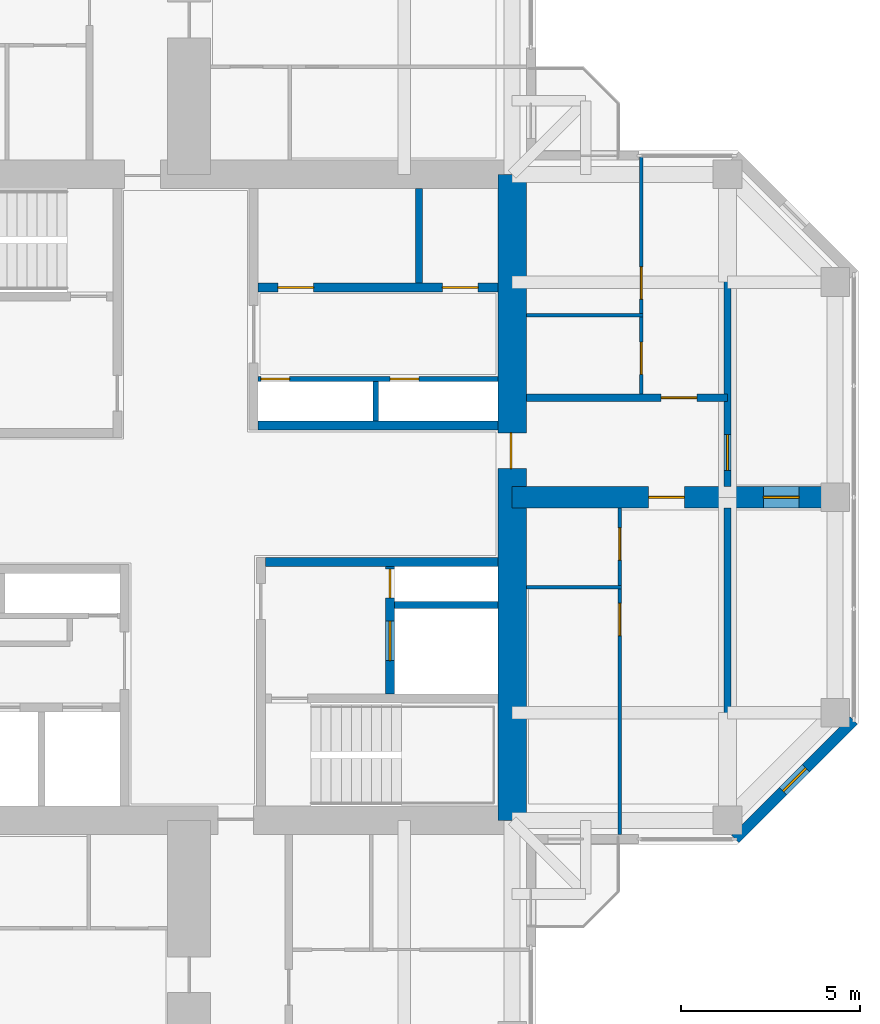
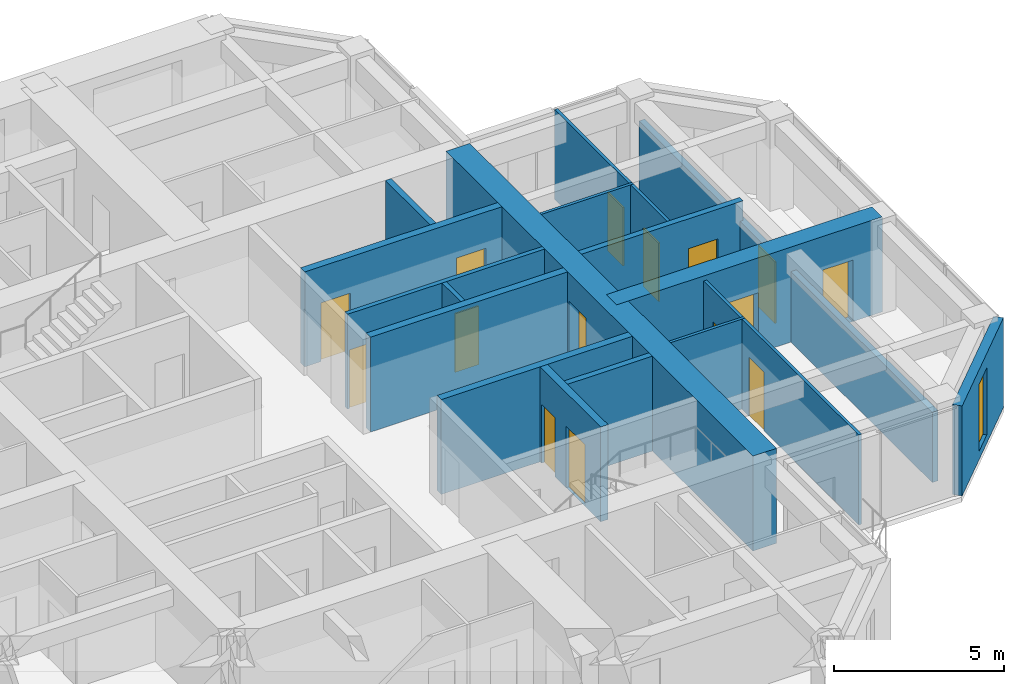
# One storey, part 11 of 13: 18 walls, 15 doors, 1 window, 16 openings.
"""IFC4 building model written with IfcOpenShell, lengths in metres."""

from ifc_helpers import new_model, si_unit, direction, frame, frame_2d, origin, place, context, subcontext, project, spatial, rectangle, hollow_rectangle, extrude, material, layer, layer_set, constituent, constituent_set, type_object, element, fill, save


model = new_model("IFC4")

# Units and contexts
model_context = context("Model", 3, precision=1e-05, world=origin(), true_north=direction((0.0, 1.0)))
body_context = subcontext(model_context, "Body", "Model", "MODEL_VIEW")
ifc_project = project(units=[si_unit("LENGTHUNIT", "METRE"), si_unit("AREAUNIT", "SQUARE_METRE"), si_unit("VOLUMEUNIT", "CUBIC_METRE"), si_unit("PLANEANGLEUNIT", "RADIAN"), si_unit("MASSUNIT", "GRAM", prefix="KILO")], contexts=[model_context])

# Site, building, storey
site_placement = place(None, origin())
site = spatial("IfcSite", under=ifc_project, at=site_placement, CompositionType="ELEMENT")
building_placement = place(site_placement, origin())
building = spatial("IfcBuilding", under=site, at=building_placement, Name="Torre Cruceta", CompositionType="ELEMENT")
storey_placement = place(building_placement, frame((0.0, 0.0, 232.300048828125)))
storey = spatial("IfcBuildingStorey", under=building, at=storey_placement, Name="L59", CompositionType="ELEMENT", Elevation=232.300048828125)

# Wall
ifc_material_1 = material(Name="Water-resistant plasterboard on steel studs", Category="steel")
ifc_layer_1 = layer(ifc_material_1, 0.10009765625)
ifc_layer_set_1 = layer_set([ifc_layer_1], Name="Water-resistant plasterboard on steel studs")
wall_type_1 = type_object("IfcWallType", Name="BATHROOM WALL 100", PredefinedType="PARTITIONING", material=ifc_layer_set_1)
wall_1_placement = place(storey_placement, frame((9.39990234375, 5.074951171875, 0.0), z_axis=(0.0, 0.0, 1.0), x_axis=(1.0, 0.0, 0.0)))
element("IfcWall", 1, at=wall_1_placement, inside=storey, type_object=wall_type_1, Name="PT4 L59-E-U1LBB", PredefinedType="PARTITIONING", context=body_context, shape_type="SweptSolid", body=[
    extrude(rectangle(XDim=3.25, YDim=0.10009765625, at=frame_2d((1.625, 0.0))), origin(), (0.0, 0.0, 1.0), 3.219970703125),
])

# Wall, openings, doors
wall_2_placement = place(storey_placement, frame((12.60009765625, 2.875, 0.0), z_axis=(0.0, 0.0, 1.0), x_axis=(0.0, 1.0, 0.0)))
wall_2 = element("IfcWall", 2, at=wall_2_placement, inside=storey, type_object=wall_type_1, Name="PT4 L59-E-U1LBS", PredefinedType="PARTITIONING", context=body_context, shape_type="SweptSolid", body=[
    extrude(rectangle(XDim=6.60498046875, YDim=0.10009765625, at=frame_2d((3.302490234375, 0.0))), origin(), (0.0, 0.0, 1.0), 3.219970703125),
])
opening_1_placement = place(wall_2_placement, frame((0.550048828125, 0.0, 0.0)))
opening_1 = element("IfcOpeningElement", 3, at=opening_1_placement, cuts=wall_2, Name="Opening D7", PredefinedType="OPENING", context=body_context, shape_type="SweptSolid", body=[
    extrude(rectangle(XDim=0.89990234375, YDim=2.10009765625, at=frame_2d((0.449951171875, 1.050048828125))), frame((0.0, 0.06005859375, 0.0), z_axis=(0.0, -1.0, 0.0), x_axis=(1.0, 0.0, 0.0)), (0.0, 0.0, 1.0), 0.1201171875),
])
opening_2_placement = place(wall_2_placement, frame((2.64990234375, 0.0, 0.0)))
opening_2 = element("IfcOpeningElement", 4, at=opening_2_placement, cuts=wall_2, Name="Opening D7", PredefinedType="OPENING", context=body_context, shape_type="SweptSolid", body=[
    extrude(rectangle(XDim=0.89990234375, YDim=2.10009765625, at=frame_2d((0.449951171875, 1.050048828125))), frame((0.0, 0.06005859375, 0.0), z_axis=(0.0, -1.0, 0.0), x_axis=(1.0, 0.0, 0.0)), (0.0, 0.0, 1.0), 0.1201171875),
])
ifc_material_2 = material(Name="Timber door", Category="wood")
door_type_1 = type_object("IfcDoorType", Name="BATHROOM DOOR 900X2100", OperationType="SINGLE_SWING_LEFT", PredefinedType="DOOR", material=ifc_material_2)
door_1_placement = place(opening_1_placement, origin())
door_1 = element("IfcDoor", 5, at=door_1_placement, inside=storey, type_object=door_type_1, Name="D7 L59-E-U1LBS-D1", OperationType="SINGLE_SWING_LEFT", OverallHeight=2.10009765625, OverallWidth=0.89990234375, PredefinedType="DOOR", context=body_context, shape_type="SweptSolid", body=[
    extrude(rectangle(XDim=0.89990234375, YDim=2.10009765625, at=frame_2d((0.449951171875, 1.050048828125))), frame((0.0, 0.02490234375, 0.0), z_axis=(0.0, -1.0, 0.0), x_axis=(1.0, 0.0, 0.0)), (0.0, 0.0, 1.0), 0.050048828125),
])
fill(opening_1, door_1)
door_2_placement = place(opening_2_placement, origin())
door_2 = element("IfcDoor", 6, at=door_2_placement, inside=storey, type_object=door_type_1, Name="D7 L59-E-U1LBS-D2", OperationType="SINGLE_SWING_LEFT", OverallHeight=2.10009765625, OverallWidth=0.89990234375, PredefinedType="DOOR", context=body_context, shape_type="SweptSolid", body=[
    extrude(rectangle(XDim=0.89990234375, YDim=2.10009765625, at=frame_2d((0.449951171875, 1.050048828125))), frame((0.0, 0.02490234375, 0.0), z_axis=(0.0, -1.0, 0.0), x_axis=(1.0, 0.0, 0.0)), (0.0, 0.0, 1.0), 0.050048828125),
])
fill(opening_2, door_2)

# Wall
wall_3_placement = place(storey_placement, frame((9.39990234375, -2.5, 0.0), z_axis=(0.0, 0.0, 1.0), x_axis=(1.0, 0.0, 0.0)))
element("IfcWall", 7, at=wall_3_placement, inside=storey, type_object=wall_type_1, Name="PT4 L59-E-U1RBB", PredefinedType="PARTITIONING", context=body_context, shape_type="SweptSolid", body=[
    extrude(rectangle(XDim=2.650146484375, YDim=0.10009765625, at=frame_2d((1.3251953125, 0.0))), origin(), (0.0, 0.0, 1.0), 3.219970703125),
])

# Wall, openings, doors
wall_4_placement = place(storey_placement, frame((12.0, -9.39501953125, 0.0), z_axis=(0.0, 0.0, 1.0), x_axis=(0.0, 1.0, 0.0)))
wall_4 = element("IfcWall", 8, at=wall_4_placement, inside=storey, type_object=wall_type_1, Name="PT4 L59-E-U1RBS", PredefinedType="PARTITIONING", context=body_context, shape_type="SweptSolid", body=[
    extrude(rectangle(XDim=9.094970703125, YDim=0.10009765625, at=frame_2d((4.54736328125, 0.0))), origin(), (0.0, 0.0, 1.0), 3.219970703125),
])
opening_3_placement = place(wall_4_placement, frame((5.544921875, 0.0, 0.0)))
opening_3 = element("IfcOpeningElement", 9, at=opening_3_placement, cuts=wall_4, Name="Opening D7", PredefinedType="OPENING", context=body_context, shape_type="SweptSolid", body=[
    extrude(rectangle(XDim=0.89990234375, YDim=2.10009765625, at=frame_2d((0.449951171875, 1.050048828125))), frame((0.0, 0.06005859375, 0.0), z_axis=(0.0, -1.0, 0.0), x_axis=(1.0, 0.0, 0.0)), (0.0, 0.0, 1.0), 0.1201171875),
])
opening_4_placement = place(wall_4_placement, frame((7.64501953125, 0.0, 0.0)))
opening_4 = element("IfcOpeningElement", 10, at=opening_4_placement, cuts=wall_4, Name="Opening D7", PredefinedType="OPENING", context=body_context, shape_type="SweptSolid", body=[
    extrude(rectangle(XDim=0.89990234375, YDim=2.10009765625, at=frame_2d((0.449951171875, 1.050048828125))), frame((0.0, 0.06005859375, 0.0), z_axis=(0.0, -1.0, 0.0), x_axis=(1.0, 0.0, 0.0)), (0.0, 0.0, 1.0), 0.1201171875),
])
door_3_placement = place(opening_3_placement, origin())
door_3 = element("IfcDoor", 11, at=door_3_placement, inside=storey, type_object=door_type_1, Name="D7 L59-E-U1RBS-D1", OperationType="SINGLE_SWING_RIGHT", OverallHeight=2.10009765625, OverallWidth=0.89990234375, PredefinedType="DOOR", context=body_context, shape_type="SweptSolid", body=[
    extrude(rectangle(XDim=0.89990234375, YDim=2.10009765625, at=frame_2d((0.449951171875, 1.050048828125))), frame((0.0, 0.02490234375, 0.0), z_axis=(0.0, -1.0, 0.0), x_axis=(1.0, 0.0, 0.0)), (0.0, 0.0, 1.0), 0.050048828125),
])
fill(opening_3, door_3)
door_4_placement = place(opening_4_placement, origin())
door_4 = element("IfcDoor", 12, at=door_4_placement, inside=storey, type_object=door_type_1, Name="D7 L59-E-U1RBS-D2", OperationType="SINGLE_SWING_RIGHT", OverallHeight=2.10009765625, OverallWidth=0.89990234375, PredefinedType="DOOR", context=body_context, shape_type="SweptSolid", body=[
    extrude(rectangle(XDim=0.89990234375, YDim=2.10009765625, at=frame_2d((0.449951171875, 1.050048828125))), frame((0.0, 0.02490234375, 0.0), z_axis=(0.0, -1.0, 0.0), x_axis=(1.0, 0.0, 0.0)), (0.0, 0.0, 1.0), 0.050048828125),
])
fill(opening_4, door_4)

# Wall
ifc_material_3 = material(Name="Concrete G60 (fck 60 MPa)", Category="concrete")
ifc_layer_2 = layer(ifc_material_3, 0.25)
ifc_layer_set_2 = layer_set([ifc_layer_2], Name="Concrete G60 (fck 60 MPa)")
wall_type_2 = type_object("IfcWallType", Name="CORE INNER WALL 250 G60", PredefinedType="SHEAR", material=ifc_layer_set_2)
wall_5_placement = place(storey_placement, frame((1.925048828125, 2.0, 0.0), z_axis=(0.0, 0.0, 1.0), x_axis=(1.0, 0.0, 0.0)))
element("IfcWall", 13, at=wall_5_placement, inside=storey, type_object=wall_type_2, Name="CW4 L59 NE-CV", PredefinedType="SHEAR", context=body_context, shape_type="SweptSolid", body=[
    extrude(rectangle(XDim=6.675048828125, YDim=0.25, at=frame_2d((3.33740234375, 0.0))), origin(), (0.0, 0.0, 1.0), 3.39990234375),
])

# Wall, openings, doors
wall_6_placement = place(storey_placement, frame((1.925048828125, 5.85009765625, 0.0), z_axis=(0.0, 0.0, 1.0), x_axis=(1.0, 0.0, 0.0)))
wall_6 = element("IfcWall", 14, at=wall_6_placement, inside=storey, type_object=wall_type_2, Name="CW4 L59 NE-LV", PredefinedType="SHEAR", context=body_context, shape_type="SweptSolid", body=[
    extrude(rectangle(XDim=6.675048828125, YDim=0.25, at=frame_2d((3.33740234375, 0.0))), origin(), (0.0, 0.0, 1.0), 3.39990234375),
])
opening_5_placement = place(wall_6_placement, frame((0.5458984375, 0.0, 0.0)))
opening_5 = element("IfcOpeningElement", 15, at=opening_5_placement, cuts=wall_6, Name="Opening D3", PredefinedType="OPENING", context=body_context, shape_type="SweptSolid", body=[
    extrude(rectangle(XDim=1.0, YDim=2.10009765625, at=frame_2d((0.5, 1.050048828125))), frame((0.0, 0.135009765625, 0.0), z_axis=(0.0, -1.0, 0.0), x_axis=(1.0, 0.0, 0.0)), (0.0, 0.0, 1.0), 0.27001953125),
])
opening_6_placement = place(wall_6_placement, frame((5.129150390625, 0.0, 0.0)))
opening_6 = element("IfcOpeningElement", 16, at=opening_6_placement, cuts=wall_6, Name="Opening D3", PredefinedType="OPENING", context=body_context, shape_type="SweptSolid", body=[
    extrude(rectangle(XDim=1.0, YDim=2.10009765625, at=frame_2d((0.5, 1.050048828125))), frame((0.0, 0.135009765625, 0.0), z_axis=(0.0, -1.0, 0.0), x_axis=(1.0, 0.0, 0.0)), (0.0, 0.0, 1.0), 0.27001953125),
])
ifc_material_4 = material(Name="Steel DX51D", Category="steel")
ifc_constituent_1 = constituent(ifc_material_4, Name="Leaf and frame")
ifc_material_5 = material(Name="Polyester powder coating", Category="paint")
ifc_constituent_2 = constituent(ifc_material_5, Name="Finish")
ifc_constituent_set_1 = constituent_set(constituents=[ifc_constituent_1, ifc_constituent_2], Name="Steel fire door")
door_type_2 = type_object("IfcDoorType", Name="FIRE DOOR 1000X2100", OperationType="SINGLE_SWING_LEFT", PredefinedType="DOOR", material=ifc_constituent_set_1)
door_5_placement = place(opening_5_placement, origin())
door_5 = element("IfcDoor", 17, at=door_5_placement, inside=storey, type_object=door_type_2, Name="D3 L59 NE-HR1", OperationType="SINGLE_SWING_LEFT", OverallHeight=2.10009765625, OverallWidth=1.0, PredefinedType="DOOR", context=body_context, shape_type="SweptSolid", body=[
    extrude(rectangle(XDim=1.0, YDim=2.10009765625, at=frame_2d((0.5, 1.050048828125))), frame((0.0, 0.02490234375, 0.0), z_axis=(0.0, -1.0, 0.0), x_axis=(1.0, 0.0, 0.0)), (0.0, 0.0, 1.0), 0.050048828125),
])
fill(opening_5, door_5)
door_6_placement = place(opening_6_placement, origin())
door_6 = element("IfcDoor", 18, at=door_6_placement, inside=storey, type_object=door_type_2, Name="D3 L59 NE-HR2", OperationType="SINGLE_SWING_RIGHT", OverallHeight=2.10009765625, OverallWidth=1.0, PredefinedType="DOOR", context=body_context, shape_type="SweptSolid", body=[
    extrude(rectangle(XDim=1.0, YDim=2.10009765625, at=frame_2d((0.5, 1.050048828125))), frame((0.0, 0.02490234375, 0.0), z_axis=(0.0, -1.0, 0.0), x_axis=(1.0, 0.0, 0.0)), (0.0, 0.0, 1.0), 0.050048828125),
])
fill(opening_6, door_6)

# Wall
wall_7_placement = place(storey_placement, frame((2.125, -1.800048828125, 0.0), z_axis=(0.0, 0.0, 1.0), x_axis=(1.0, 0.0, 0.0)))
element("IfcWall", 19, at=wall_7_placement, inside=storey, type_object=wall_type_2, Name="CW4 L59 SE-CV", PredefinedType="SHEAR", context=body_context, shape_type="SweptSolid", body=[
    extrude(rectangle(XDim=6.47509765625, YDim=0.25, at=frame_2d((3.237548828125, 0.0))), origin(), (0.0, 0.0, 1.0), 3.39990234375),
])

# Wall, openings, doors
wall_8_placement = place(storey_placement, frame((5.60009765625, -1.925048828125, 0.0), z_axis=(0.0, 0.0, 1.0), x_axis=(0.0, -1.0, 0.0)))
wall_8 = element("IfcWall", 20, at=wall_8_placement, inside=storey, type_object=wall_type_2, Name="CW4 L59 SE-FU", PredefinedType="SHEAR", context=body_context, shape_type="SweptSolid", body=[
    extrude(rectangle(XDim=3.550048828125, YDim=0.25, at=frame_2d((1.77490234375, 0.0))), origin(), (0.0, 0.0, 1.0), 3.39990234375),
])
opening_7_placement = place(wall_8_placement, frame((1.52490234375, 0.0, 0.0)))
opening_7 = element("IfcOpeningElement", 21, at=opening_7_placement, cuts=wall_8, Name="Opening LD1", PredefinedType="OPENING", context=body_context, shape_type="SweptSolid", body=[
    extrude(rectangle(XDim=1.10009765625, YDim=2.199951171875, at=frame_2d((0.550048828125, 1.10009765625))), frame((0.0, 0.135009765625, 0.0), z_axis=(0.0, -1.0, 0.0), x_axis=(1.0, 0.0, 0.0)), (0.0, 0.0, 1.0), 0.27001953125),
])
opening_8_placement = place(wall_8_placement, frame((0.074951171875, 0.0, 0.0)))
opening_8 = element("IfcOpeningElement", 22, at=opening_8_placement, cuts=wall_8, Name="Opening D5", PredefinedType="OPENING", context=body_context, shape_type="SweptSolid", body=[
    extrude(rectangle(XDim=0.800048828125, YDim=2.10009765625, at=frame_2d((0.39990234375, 1.050048828125))), frame((0.0, 0.135009765625, 0.0), z_axis=(0.0, -1.0, 0.0), x_axis=(1.0, 0.0, 0.0)), (0.0, 0.0, 1.0), 0.27001953125),
])
ifc_material_6 = material(Name="Stainless steel 1.4401", Category="steel")
door_type_3 = type_object("IfcDoorType", Name="LIFT LANDING DOOR 1100X2200", OperationType="DOUBLE_DOOR_SLIDING", PredefinedType="DOOR", material=ifc_material_6)
door_7_placement = place(opening_7_placement, origin())
door_7 = element("IfcDoor", 23, at=door_7_placement, inside=storey, type_object=door_type_3, Name="Lift landing door FL2", OperationType="DOUBLE_DOOR_SLIDING", OverallHeight=2.199951171875, OverallWidth=1.10009765625, PredefinedType="DOOR", context=body_context, shape_type="SweptSolid", body=[
    extrude(rectangle(XDim=1.10009765625, YDim=2.199951171875, at=frame_2d((0.550048828125, 1.10009765625))), frame((0.0, 0.02490234375, 0.0), z_axis=(0.0, -1.0, 0.0), x_axis=(1.0, 0.0, 0.0)), (0.0, 0.0, 1.0), 0.050048828125),
])
fill(opening_7, door_7)
ifc_material_7 = material(Name="Steel DX51D", Category="steel")
ifc_constituent_3 = constituent(ifc_material_7, Name="Leaf and frame")
ifc_material_8 = material(Name="Polyester powder coating", Category="paint")
ifc_constituent_4 = constituent(ifc_material_8, Name="Finish")
ifc_constituent_set_2 = constituent_set(constituents=[ifc_constituent_3, ifc_constituent_4], Name="Steel fire door")
door_type_4 = type_object("IfcDoorType", Name="RISER ACCESS DOOR 800X2100", OperationType="SINGLE_SWING_LEFT", PredefinedType="DOOR", material=ifc_constituent_set_2)
door_8_placement = place(opening_8_placement, origin())
door_8 = element("IfcDoor", 24, at=door_8_placement, inside=storey, type_object=door_type_4, Name="D5 L59 SE-RISER", OperationType="SINGLE_SWING_LEFT", OverallHeight=2.10009765625, OverallWidth=0.800048828125, PredefinedType="DOOR", context=body_context, shape_type="SweptSolid", body=[
    extrude(rectangle(XDim=0.800048828125, YDim=2.10009765625, at=frame_2d((0.39990234375, 1.050048828125))), frame((0.0, 0.02490234375, 0.0), z_axis=(0.0, -1.0, 0.0), x_axis=(1.0, 0.0, 0.0)), (0.0, 0.0, 1.0), 0.050048828125),
])
fill(opening_8, door_8)

# Wall, opening, door
ifc_material_9 = material(Name="Concrete G60 (fck 60 MPa)", Category="concrete")
ifc_layer_3 = layer(ifc_material_9, 0.800048828125)
ifc_layer_set_3 = layer_set([ifc_layer_3], Name="Concrete G60 (fck 60 MPa)")
wall_type_3 = type_object("IfcWallType", Name="CORE WALL 800 G60", PredefinedType="SHEAR", material=ifc_layer_set_3)
wall_9_placement = place(storey_placement, frame((9.0, -9.0, 0.0), z_axis=(0.0, 0.0, 1.0), x_axis=(0.0, 1.0, 0.0)))
wall_9 = element("IfcWall", 25, at=wall_9_placement, inside=storey, type_object=wall_type_3, Name="CW3 L59 CW-E", PredefinedType="SHEAR", context=body_context, shape_type="SweptSolid", body=[
    extrude(rectangle(XDim=18.0, YDim=0.800048828125, at=frame_2d((9.0, 0.0))), origin(), (0.0, 0.0, 1.0), 3.39990234375),
])
opening_9_placement = place(wall_9_placement, frame((9.800048828125, 0.0, 0.0)))
opening_9 = element("IfcOpeningElement", 26, at=opening_9_placement, cuts=wall_9, Name="Opening D4", PredefinedType="OPENING", context=body_context, shape_type="SweptSolid", body=[
    extrude(rectangle(XDim=1.0, YDim=2.39990234375, at=frame_2d((0.5, 1.199951171875))), frame((0.0, 0.409912109375, 0.0), z_axis=(0.0, -1.0, 0.0), x_axis=(1.0, 0.0, 0.0)), (0.0, 0.0, 1.0), 0.820068359375),
])
ifc_material_10 = material(Name="Steel DX51D", Category="steel")
ifc_constituent_5 = constituent(ifc_material_10, Name="Leaf and frame")
ifc_material_11 = material(Name="Polyester powder coating", Category="paint")
ifc_constituent_6 = constituent(ifc_material_11, Name="Finish")
ifc_constituent_set_3 = constituent_set(constituents=[ifc_constituent_5, ifc_constituent_6], Name="Steel fire door")
door_type_5 = type_object("IfcDoorType", Name="CORE ARM DOOR 1000X2400", OperationType="SINGLE_SWING_RIGHT", PredefinedType="DOOR", material=ifc_constituent_set_3)
door_9_placement = place(opening_9_placement, origin())
door_9 = element("IfcDoor", 27, at=door_9_placement, inside=storey, type_object=door_type_5, Name="D4 L59 CW-E", OperationType="SINGLE_SWING_RIGHT", OverallHeight=2.39990234375, OverallWidth=1.0, PredefinedType="DOOR", context=body_context, shape_type="SweptSolid", body=[
    extrude(rectangle(XDim=1.0, YDim=2.39990234375, at=frame_2d((0.5, 1.199951171875))), frame((0.0, 0.05517578125, 0.0), z_axis=(0.0, -1.0, 0.0), x_axis=(1.0, 0.0, 0.0)), (0.0, 0.0, 1.0), 0.050048828125),
])
fill(opening_9, door_9)

ifc_material_12 = material(Name="Concrete G25 (fck 25 MPa)", Category="concrete")
ifc_layer_4 = layer(ifc_material_12, 0.199951171875)
ifc_layer_set_4 = layer_set([ifc_layer_4], Name="Concrete G25 (fck 25 MPa)")
wall_type_4 = type_object("IfcWallType", Name="CORRIDOR WALL 200", PredefinedType="SOLIDWALL", material=ifc_layer_set_4)
wall_10_placement = place(storey_placement, frame((9.39990234375, 2.77490234375, 0.0), z_axis=(0.0, 0.0, 1.0), x_axis=(1.0, 0.0, 0.0)))
wall_10 = element("IfcWall", 28, at=wall_10_placement, inside=storey, type_object=wall_type_4, Name="PT3 L59-E-CL", PredefinedType="SOLIDWALL", context=body_context, shape_type="SweptSolid", body=[
    extrude(rectangle(XDim=5.60009765625, YDim=0.199951171875, at=frame_2d((2.800048828125, 0.0))), origin(), (0.0, 0.0, 1.0), 3.219970703125),
])
opening_10_placement = place(wall_10_placement, frame((3.75, 0.0, 0.0)))
opening_10 = element("IfcOpeningElement", 29, at=opening_10_placement, cuts=wall_10, Name="Opening D6", PredefinedType="OPENING", context=body_context, shape_type="SweptSolid", body=[
    extrude(rectangle(XDim=1.0, YDim=2.14990234375, at=frame_2d((0.5, 1.074951171875))), frame((0.0, 0.10986328125, 0.0), z_axis=(0.0, -1.0, 0.0), x_axis=(1.0, 0.0, 0.0)), (0.0, 0.0, 1.0), 0.219970703125),
])
ifc_material_13 = material(Name="Timber fire door", Category="wood")
door_type_6 = type_object("IfcDoorType", Name="UNIT ENTRANCE DOOR 1000X2150", OperationType="SINGLE_SWING_LEFT", PredefinedType="DOOR", material=ifc_material_13)
door_10_placement = place(opening_10_placement, origin())
door_10 = element("IfcDoor", 30, at=door_10_placement, inside=storey, type_object=door_type_6, Name="D6 L59-E-CL-D1", OperationType="SINGLE_SWING_LEFT", OverallHeight=2.14990234375, OverallWidth=1.0, PredefinedType="DOOR", context=body_context, shape_type="SweptSolid", body=[
    extrude(rectangle(XDim=1.0, YDim=2.14990234375, at=frame_2d((0.5, 1.074951171875))), frame((0.0, 0.02490234375, 0.0), z_axis=(0.0, -1.0, 0.0), x_axis=(1.0, 0.0, 0.0)), (0.0, 0.0, 1.0), 0.050048828125),
])
fill(opening_10, door_10)

# Wall, opening, window
ifc_material_14 = material(Name="Concrete G30 (fck 30 MPa)", Category="concrete")
ifc_layer_5 = layer(ifc_material_14, 0.300048828125)
ifc_layer_set_5 = layer_set([ifc_layer_5], Name="Concrete G30 (fck 30 MPa)")
wall_type_5 = type_object("IfcWallType", Name="EXPOSED CONCRETE FACADE WALL 300", PredefinedType="SOLIDWALL", material=ifc_layer_set_5)
wall_11_placement = place(storey_placement, frame((15.21533203125, -9.52001953125, 0.0), z_axis=(0.0, 0.0, 1.0), x_axis=(0.707106781187, 0.707106781187, 0.0)))
wall_11 = element("IfcWall", 31, at=wall_11_placement, inside=storey, type_object=wall_type_5, Name="EW1 facade wall L59 E chamfer 01", PredefinedType="SOLIDWALL", context=body_context, shape_type="SweptSolid", body=[
    extrude(rectangle(XDim=4.673583984375, YDim=0.300048828125, at=frame_2d((2.3369140625, 0.0))), origin(), (0.0, 0.0, 1.0), 3.219970703125),
])
opening_11_placement = place(wall_11_placement, frame((1.88671875, 0.0, 0.300048828125)))
opening_11 = element("IfcOpeningElement", 32, at=opening_11_placement, cuts=wall_11, Name="Opening WN5", PredefinedType="OPENING", context=body_context, shape_type="SweptSolid", body=[
    extrude(rectangle(XDim=0.89990234375, YDim=2.39990234375, at=frame_2d((0.449951171875, 1.199951171875))), frame((0.0, 0.159912109375, 0.0), z_axis=(0.0, -1.0, 0.0), x_axis=(1.0, 0.0, 0.0)), (0.0, 0.0, 1.0), 0.320068359375),
])
ifc_material_15 = material(Name="Aluminium window frame", Category="aluminium")
ifc_constituent_7 = constituent(ifc_material_15, Name="Frame")
ifc_material_16 = material(Name="Laminated insulating glass unit, low-iron clear", Category="glass")
ifc_constituent_8 = constituent(ifc_material_16, Name="Glazing")
ifc_constituent_set_4 = constituent_set(constituents=[ifc_constituent_7, ifc_constituent_8], Name="Aluminium window")
window_type = type_object("IfcWindowType", Name="CHAMFER SLOT WINDOW 900X2400", PartitioningType="SINGLE_PANEL", PredefinedType="WINDOW", material=ifc_constituent_set_4)
window_placement = place(opening_11_placement, origin())
window = element("IfcWindow", 33, at=window_placement, inside=storey, type_object=window_type, Name="WN5 L59 E 1", OverallHeight=2.39990234375, OverallWidth=0.89990234375, PartitioningType="SINGLE_PANEL", PredefinedType="WINDOW", context=body_context, shape_type="SweptSolid", body=[
    extrude(hollow_rectangle(XDim=0.89990234375, YDim=2.39990234375, WallThickness=0.06005859375, at=frame_2d((0.449951171875, 1.199951171875))), frame((0.0, 0.030029296875, 0.0), z_axis=(0.0, -1.0, 0.0), x_axis=(1.0, 0.0, 0.0)), (0.0, 0.0, 1.0), 0.06005859375),
    extrude(rectangle(XDim=0.77880859375, YDim=2.27880859375, at=frame_2d((0.449951171875, 1.199951171875))), frame((0.0, 0.030029296875, 0.0), z_axis=(0.0, -1.0, 0.0), x_axis=(1.0, 0.0, 0.0)), (0.0, 0.0, 1.0), 0.06005859375),
])
fill(opening_11, window)

# Walls
ifc_material_17 = material(Name="Concrete G35 (fck 35 MPa)", Category="concrete")
ifc_layer_6 = layer(ifc_material_17, 0.199951171875)
ifc_layer_set_6 = layer_set([ifc_layer_6], Name="Concrete G35 (fck 35 MPa)")
wall_type_6 = type_object("IfcWallType", Name="LIFT SHAFT WALL 200", PredefinedType="PARTITIONING", material=ifc_layer_set_6)
wall_12_placement = place(storey_placement, frame((6.408447265625, 5.97509765625, 0.0), z_axis=(0.0, 0.0, 1.0), x_axis=(0.0, 1.0, 0.0)))
element("IfcWall", 34, at=wall_12_placement, inside=storey, type_object=wall_type_6, Name="SW1 L59 NE-LS2", PredefinedType="PARTITIONING", context=body_context, shape_type="SweptSolid", body=[
    extrude(rectangle(XDim=2.625, YDim=0.199951171875, at=frame_2d((1.3125, 0.0))), origin(), (0.0, 0.0, 1.0), 3.39990234375),
])
wall_13_placement = place(storey_placement, frame((5.72509765625, -3.0, 0.0), z_axis=(0.0, 0.0, 1.0), x_axis=(1.0, 0.0, 0.0)))
element("IfcWall", 35, at=wall_13_placement, inside=storey, type_object=wall_type_6, Name="SW1 L59 SE-FR", PredefinedType="PARTITIONING", context=body_context, shape_type="SweptSolid", body=[
    extrude(rectangle(XDim=2.875, YDim=0.199951171875, at=frame_2d((1.4375, 0.0))), origin(), (0.0, 0.0, 1.0), 3.39990234375),
])

# Wall, openings, doors
ifc_material_18 = material(Name="Concrete block masonry", Category="masonry")
ifc_layer_7 = layer(ifc_material_18, 0.14990234375)
ifc_layer_set_7 = layer_set([ifc_layer_7], Name="Concrete block masonry")
wall_type_7 = type_object("IfcWallType", Name="RISER WALL 150", PredefinedType="PARTITIONING", material=ifc_layer_set_7)
wall_14_placement = place(storey_placement, frame((1.925048828125, 3.300048828125, 0.0), z_axis=(0.0, 0.0, 1.0), x_axis=(1.0, 0.0, 0.0)))
wall_14 = element("IfcWall", 36, at=wall_14_placement, inside=storey, type_object=wall_type_7, Name="SW7 L59 NE-RV", PredefinedType="PARTITIONING", context=body_context, shape_type="SweptSolid", body=[
    extrude(rectangle(XDim=6.675048828125, YDim=0.14990234375, at=frame_2d((3.33740234375, 0.0))), origin(), (0.0, 0.0, 1.0), 3.39990234375),
])
opening_12_placement = place(wall_14_placement, frame((0.074951171875, 0.0, 0.0)))
opening_12 = element("IfcOpeningElement", 37, at=opening_12_placement, cuts=wall_14, Name="Opening D5", PredefinedType="OPENING", context=body_context, shape_type="SweptSolid", body=[
    extrude(rectangle(XDim=0.800048828125, YDim=2.10009765625, at=frame_2d((0.39990234375, 1.050048828125))), frame((0.0, 0.0849609375, 0.0), z_axis=(0.0, -1.0, 0.0), x_axis=(1.0, 0.0, 0.0)), (0.0, 0.0, 1.0), 0.169921875),
])
opening_13_placement = place(wall_14_placement, frame((3.675048828125, 0.0, 0.0)))
opening_13 = element("IfcOpeningElement", 38, at=opening_13_placement, cuts=wall_14, Name="Opening D5", PredefinedType="OPENING", context=body_context, shape_type="SweptSolid", body=[
    extrude(rectangle(XDim=0.800048828125, YDim=2.10009765625, at=frame_2d((0.39990234375, 1.050048828125))), frame((0.0, 0.0849609375, 0.0), z_axis=(0.0, -1.0, 0.0), x_axis=(1.0, 0.0, 0.0)), (0.0, 0.0, 1.0), 0.169921875),
])
door_11_placement = place(opening_12_placement, frame((0.800048828125, 0.0, 0.0), z_axis=(0.0, 0.0, 1.0), x_axis=(-1.0, 0.0, 0.0)))
door_11 = element("IfcDoor", 39, at=door_11_placement, inside=storey, type_object=door_type_4, Name="D5 L59 NE-RISER1", OperationType="SINGLE_SWING_RIGHT", OverallHeight=2.10009765625, OverallWidth=0.800048828125, PredefinedType="DOOR", context=body_context, shape_type="SweptSolid", body=[
    extrude(rectangle(XDim=0.800048828125, YDim=2.10009765625, at=frame_2d((0.400146484375, 1.050048828125))), frame((0.0, 0.025146484375, 0.0), z_axis=(0.0, -1.0, 0.0), x_axis=(1.0, 0.0, 0.0)), (0.0, 0.0, 1.0), 0.050048828125),
])
fill(opening_12, door_11)
door_12_placement = place(opening_13_placement, frame((0.800048828125, 0.0, 0.0), z_axis=(0.0, 0.0, 1.0), x_axis=(-1.0, 0.0, 0.0)))
door_12 = element("IfcDoor", 40, at=door_12_placement, inside=storey, type_object=door_type_4, Name="D5 L59 NE-RISER2", OperationType="SINGLE_SWING_RIGHT", OverallHeight=2.10009765625, OverallWidth=0.800048828125, PredefinedType="DOOR", context=body_context, shape_type="SweptSolid", body=[
    extrude(rectangle(XDim=0.800048828125, YDim=2.10009765625, at=frame_2d((0.400146484375, 1.050048828125))), frame((0.0, 0.025146484375, 0.0), z_axis=(0.0, -1.0, 0.0), x_axis=(1.0, 0.0, 0.0)), (0.0, 0.0, 1.0), 0.050048828125),
])
fill(opening_13, door_12)

# Wall
wall_15_placement = place(storey_placement, frame((5.199951171875, 2.125, 0.0), z_axis=(0.0, 0.0, 1.0), x_axis=(0.0, 1.0, 0.0)))
element("IfcWall", 41, at=wall_15_placement, inside=storey, type_object=wall_type_7, Name="SW7 L59 NE-RU", PredefinedType="PARTITIONING", context=body_context, shape_type="SweptSolid", body=[
    extrude(rectangle(XDim=1.10009765625, YDim=0.14990234375, at=frame_2d((0.550048828125, 0.0))), origin(), (0.0, 0.0, 1.0), 3.39990234375),
])

# Wall, openings, doors
ifc_material_19 = material(Name="Concrete G60 (fck 60 MPa)", Category="concrete")
ifc_layer_8 = layer(ifc_material_19, 0.60009765625)
ifc_layer_set_8 = layer_set([ifc_layer_8], Name="Concrete G60 (fck 60 MPa)")
wall_type_8 = type_object("IfcWallType", Name="SPINE WALL 600 G60", PredefinedType="SHEAR", material=ifc_layer_set_8)
wall_16_placement = place(storey_placement, frame((9.0, 0.0, 0.0), z_axis=(0.0, 0.0, 1.0), x_axis=(1.0, 0.0, 0.0)))
wall_16 = element("IfcWall", 42, at=wall_16_placement, inside=storey, type_object=wall_type_8, Name="SW5 spine wall L59 E", PredefinedType="SHEAR", context=body_context, shape_type="SweptSolid", body=[
    extrude(rectangle(XDim=9.0, YDim=0.60009765625, at=frame_2d((4.5, 0.0))), origin(), (0.0, 0.0, 1.0), 3.39990234375),
])
opening_14_placement = place(wall_16_placement, frame((3.800048828125, 0.0, 0.0)))
opening_14 = element("IfcOpeningElement", 43, at=opening_14_placement, cuts=wall_16, Name="Opening D6", PredefinedType="OPENING", context=body_context, shape_type="SweptSolid", body=[
    extrude(rectangle(XDim=1.0, YDim=2.14990234375, at=frame_2d((0.5, 1.074951171875))), frame((0.0, 0.31005859375, 0.0), z_axis=(0.0, -1.0, 0.0), x_axis=(1.0, 0.0, 0.0)), (0.0, 0.0, 1.0), 0.6201171875),
])
opening_15_placement = place(wall_16_placement, frame((7.0, 0.0, 0.0)))
opening_15 = element("IfcOpeningElement", 44, at=opening_15_placement, cuts=wall_16, Name="Opening D14", PredefinedType="OPENING", context=body_context, shape_type="SweptSolid", body=[
    extrude(rectangle(XDim=1.0, YDim=2.199951171875, at=frame_2d((0.5, 1.10009765625))), frame((0.0, 0.31005859375, 0.0), z_axis=(0.0, -1.0, 0.0), x_axis=(1.0, 0.0, 0.0)), (0.0, 0.0, 1.0), 0.6201171875),
])
ifc_material_20 = material(Name="Steel DX51D", Category="steel")
ifc_constituent_9 = constituent(ifc_material_20, Name="Leaf and frame")
ifc_material_21 = material(Name="Polyester powder coating", Category="paint")
ifc_constituent_10 = constituent(ifc_material_21, Name="Finish")
ifc_material_22 = material(Name="Fire-resisting glass", Category="glass")
ifc_constituent_11 = constituent(ifc_material_22, Name="Vision panel")
ifc_constituent_set_5 = constituent_set(constituents=[ifc_constituent_9, ifc_constituent_10, ifc_constituent_11], Name="Steel fire door with vision panel")
door_type_7 = type_object("IfcDoorType", Name="FIRE DOOR VISION PANEL 1000X2200", OperationType="SINGLE_SWING_RIGHT", PredefinedType="DOOR", material=ifc_constituent_set_5)
door_13_placement = place(opening_15_placement, origin())
door_13 = element("IfcDoor", 45, at=door_13_placement, inside=storey, type_object=door_type_7, Name="D14 L59-E-SP2", OperationType="SINGLE_SWING_LEFT", OverallHeight=2.199951171875, OverallWidth=1.0, PredefinedType="DOOR", context=body_context, shape_type="SweptSolid", body=[
    extrude(rectangle(XDim=1.0, YDim=2.199951171875, at=frame_2d((0.5, 1.10009765625))), frame((0.0, 0.02490234375, 0.0), z_axis=(0.0, -1.0, 0.0), x_axis=(1.0, 0.0, 0.0)), (0.0, 0.0, 1.0), 0.050048828125),
])
fill(opening_15, door_13)
door_14_placement = place(opening_14_placement, frame((1.0, 0.0, 0.0), z_axis=(0.0, 0.0, 1.0), x_axis=(-1.0, 0.0, 0.0)))
door_14 = element("IfcDoor", 46, at=door_14_placement, inside=storey, type_object=door_type_6, Name="D6 L59-E-SP1", OperationType="SINGLE_SWING_RIGHT", OverallHeight=2.14990234375, OverallWidth=1.0, PredefinedType="DOOR", context=body_context, shape_type="SweptSolid", body=[
    extrude(rectangle(XDim=1.0, YDim=2.14990234375, at=frame_2d((0.5, 1.074951171875))), frame((0.0, 0.025146484375, 0.0), z_axis=(0.0, -1.0, 0.0), x_axis=(1.0, 0.0, 0.0)), (0.0, 0.0, 1.0), 0.050048828125),
])
fill(opening_14, door_14)

# Wall
ifc_material_23 = material(Name="Concrete G25 (fck 25 MPa)", Category="concrete")
ifc_layer_9 = layer(ifc_material_23, 0.199951171875)
ifc_layer_set_9 = layer_set([ifc_layer_9], Name="Concrete G25 (fck 25 MPa)")
wall_type_9 = type_object("IfcWallType", Name="UNIT SEPARATING WALL 200", PredefinedType="SOLIDWALL", material=ifc_layer_set_9)
wall_17_placement = place(storey_placement, frame((15.0, -8.60009765625, 0.0), z_axis=(0.0, 0.0, 1.0), x_axis=(0.0, 1.0, 0.0)))
element("IfcWall", 47, at=wall_17_placement, inside=storey, type_object=wall_type_9, Name="PT2 L59-E-ENDa", PredefinedType="SOLIDWALL", context=body_context, shape_type="SweptSolid", body=[
    extrude(rectangle(XDim=8.300048828125, YDim=0.199951171875, at=frame_2d((4.14990234375, 0.0))), origin(), (0.0, 0.0, 1.0), 2.52001953125),
])

# Wall, opening, door
wall_18_placement = place(storey_placement, frame((15.0, 0.300048828125, 0.0), z_axis=(0.0, 0.0, 1.0), x_axis=(0.0, 1.0, 0.0)))
wall_18 = element("IfcWall", 48, at=wall_18_placement, inside=storey, type_object=wall_type_9, Name="PT2 L59-E-ENDb", PredefinedType="SOLIDWALL", context=body_context, shape_type="SweptSolid", body=[
    extrude(rectangle(XDim=8.300048828125, YDim=0.199951171875, at=frame_2d((4.14990234375, 0.0))), origin(), (0.0, 0.0, 1.0), 2.52001953125),
])
opening_16_placement = place(wall_18_placement, frame((0.449951171875, 0.0, 0.0)))
opening_16 = element("IfcOpeningElement", 49, at=opening_16_placement, cuts=wall_18, Name="Opening D14", PredefinedType="OPENING", context=body_context, shape_type="SweptSolid", body=[
    extrude(rectangle(XDim=1.0, YDim=2.199951171875, at=frame_2d((0.5, 1.10009765625))), frame((0.0, 0.10986328125, 0.0), z_axis=(0.0, -1.0, 0.0), x_axis=(1.0, 0.0, 0.0)), (0.0, 0.0, 1.0), 0.219970703125),
])
door_15_placement = place(opening_16_placement, frame((1.0, 0.0, 0.0), z_axis=(0.0, 0.0, 1.0), x_axis=(-1.0, 0.0, 0.0)))
door_15 = element("IfcDoor", 50, at=door_15_placement, inside=storey, type_object=door_type_7, Name="D14 L59-E-ENDb-D1", OperationType="SINGLE_SWING_LEFT", OverallHeight=2.199951171875, OverallWidth=1.0, PredefinedType="DOOR", context=body_context, shape_type="SweptSolid", body=[
    extrude(rectangle(XDim=1.0, YDim=2.199951171875, at=frame_2d((0.5, 1.10009765625))), frame((0.0, 0.025146484375, 0.0), z_axis=(0.0, -1.0, 0.0), x_axis=(1.0, 0.0, 0.0)), (0.0, 0.0, 1.0), 0.050048828125),
])
fill(opening_16, door_15)

save(model, "model.ifc")
